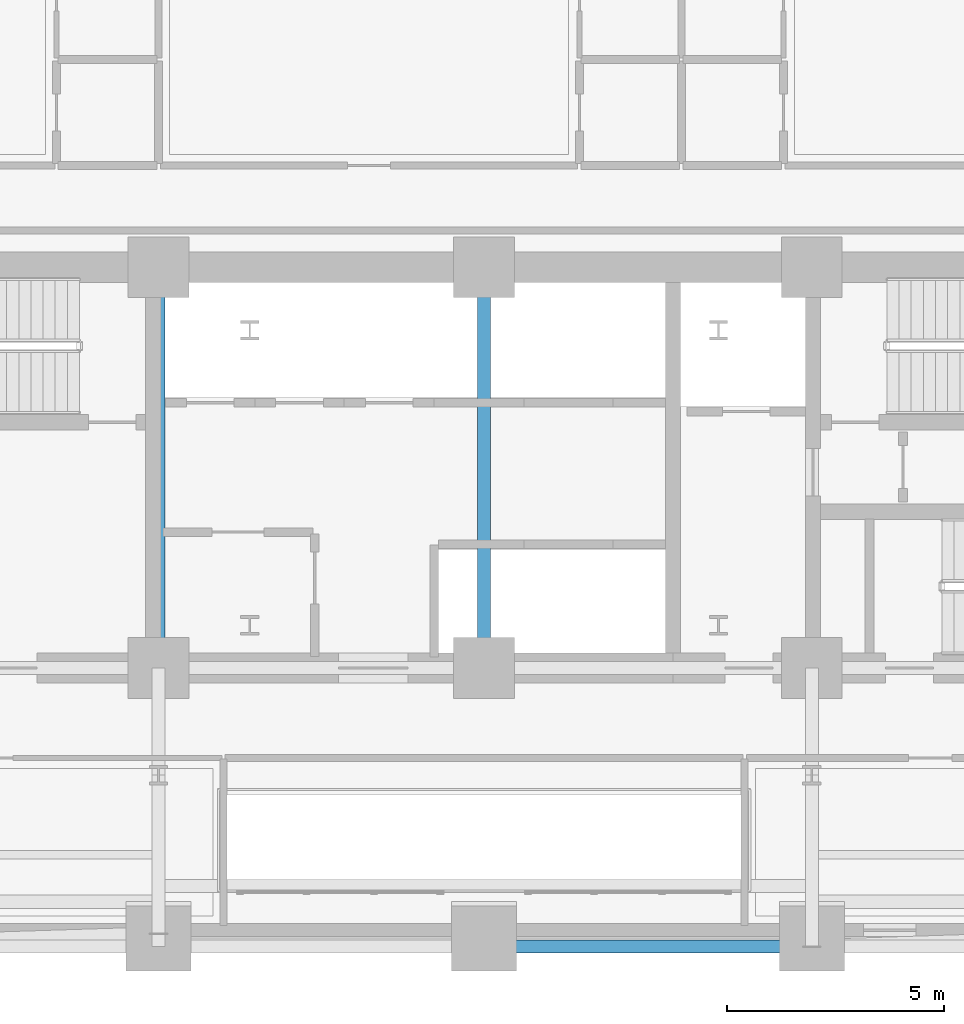
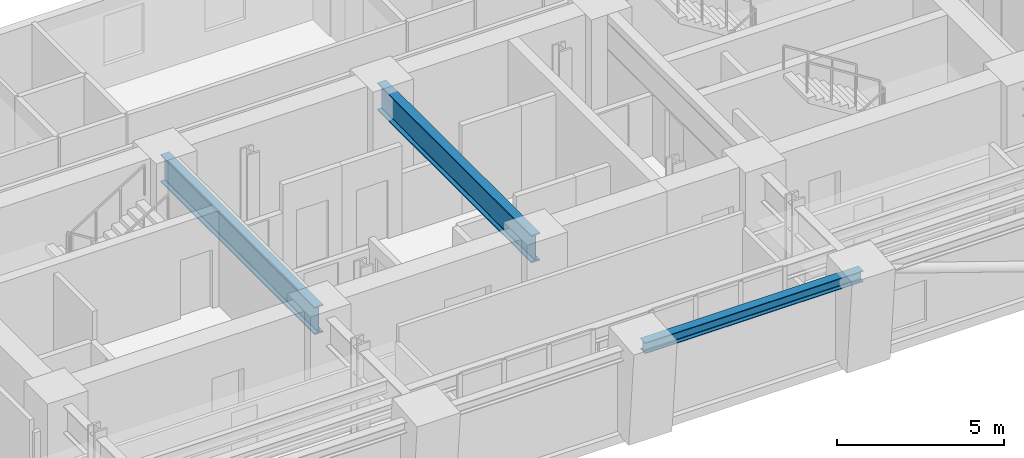
# One storey, part 4 of 15: 3 beams.
"""IFC4 building model written with IfcOpenShell, lengths in metres."""

from ifc_helpers import new_model, si_unit, direction, frame, origin, origin_2d, place, context, subcontext, project, spatial, i_section, extrude, material, material_profile, profile_set, type_object, element, save


model = new_model("IFC4")

# Units and contexts
model_context = context("Model", 3, precision=1e-05, world=origin(), true_north=direction((0.0, 1.0)))
body_context = subcontext(model_context, "Body", "Model", "MODEL_VIEW")
ifc_project = project(units=[si_unit("LENGTHUNIT", "METRE"), si_unit("AREAUNIT", "SQUARE_METRE"), si_unit("VOLUMEUNIT", "CUBIC_METRE"), si_unit("PLANEANGLEUNIT", "RADIAN"), si_unit("MASSUNIT", "GRAM", prefix="KILO")], contexts=[model_context])

# Site, building, storey
site_placement = place(None, origin())
site = spatial("IfcSite", under=ifc_project, at=site_placement, CompositionType="ELEMENT")
building_placement = place(site_placement, origin())
building = spatial("IfcBuilding", under=site, at=building_placement, Name="Zarnavel Station Tower", CompositionType="ELEMENT")
storey_placement = place(building_placement, frame((0.0, 0.0, 50.0)))
storey = spatial("IfcBuildingStorey", under=building, at=storey_placement, Name="L13", CompositionType="ELEMENT", Elevation=50.0)

# Beams
ifc_material_1 = material(Name="Steel S355J2", Category="steel")
ifc_material_profile_1 = material_profile(ifc_material_1, i_section(OverallWidth=0.300048828125, OverallDepth=0.39990234375, WebThickness=0.013427734375, FlangeThickness=0.02392578125, FilletRadius=0.027099609375, at=origin_2d()), Name="HEB400")
ifc_profile_set_1 = profile_set([ifc_material_profile_1], Name="Steel S355J2")
beam_type_1 = type_object("IfcBeamType", Name="EB_HEB400", PredefinedType="SPANDREL", material=ifc_profile_set_1)
beam_placement = place(storey_placement, frame((28.800048828125, 21.4033203125, 3.0400390625), z_axis=(1.0, 0.0, 0.0), x_axis=(0.0, 1.0, 0.0)))
element("IfcBeam", 1, at=beam_placement, inside=storey, type_object=beam_type_1, Name="L13 South Raked Spandrel 3", PredefinedType="SPANDREL", context=body_context, shape_type="SweptSolid", body=[
    extrude(i_section(OverallWidth=0.300048828125, OverallDepth=0.39990234375, WebThickness=0.013427734375, FlangeThickness=0.02392578125, FilletRadius=0.027099609375, at=origin_2d()), origin(), (0.0, 0.0, 1.0), 7.550048828125),
])
ifc_material_2 = material(Name="Steel S460M", Category="steel")
ifc_material_profile_2 = material_profile(ifc_material_2, i_section(OverallWidth=0.302001953125, OverallDepth=1.008056640625, WebThickness=0.02099609375, FlangeThickness=0.0400390625, FilletRadius=0.030029296875, at=origin_2d()), Name="HEM1000")
ifc_profile_set_2 = profile_set([ifc_material_profile_2], Name="Steel S460M")
beam_type_2 = type_object("IfcBeamType", Name="TG_HEM1000", PredefinedType="USERDEFINED", material=ifc_profile_set_2)
for number, where, z_axis, x_axis, name in (
    (2, (21.300048828125, 27.820068359375, 2.736083984375), (0.0, 1.0, 0.0), (-1.0, 0.0, 0.0), "L13 Core Spine Coupling Girder 2"),
    (3, (28.800048828125, 27.820068359375, 2.736083984375), (0.0, 1.0, 0.0), (-1.0, 0.0, 0.0), "L13 Core Spine Coupling Girder 3"),
):
    element("IfcBeam", number, at=place(storey_placement, frame(where, z_axis=z_axis, x_axis=x_axis)), inside=storey, type_object=beam_type_2, Name=name, ObjectType="GIRDER", PredefinedType="USERDEFINED", context=body_context, shape_type="SweptSolid", body=[
        extrude(i_section(OverallWidth=0.302001953125, OverallDepth=1.008056640625, WebThickness=0.02099609375, FlangeThickness=0.0400390625, FilletRadius=0.030029296875, at=origin_2d()), origin(), (0.0, 0.0, 1.0), 9.22998046875),
    ])

save(model, "model.ifc")
